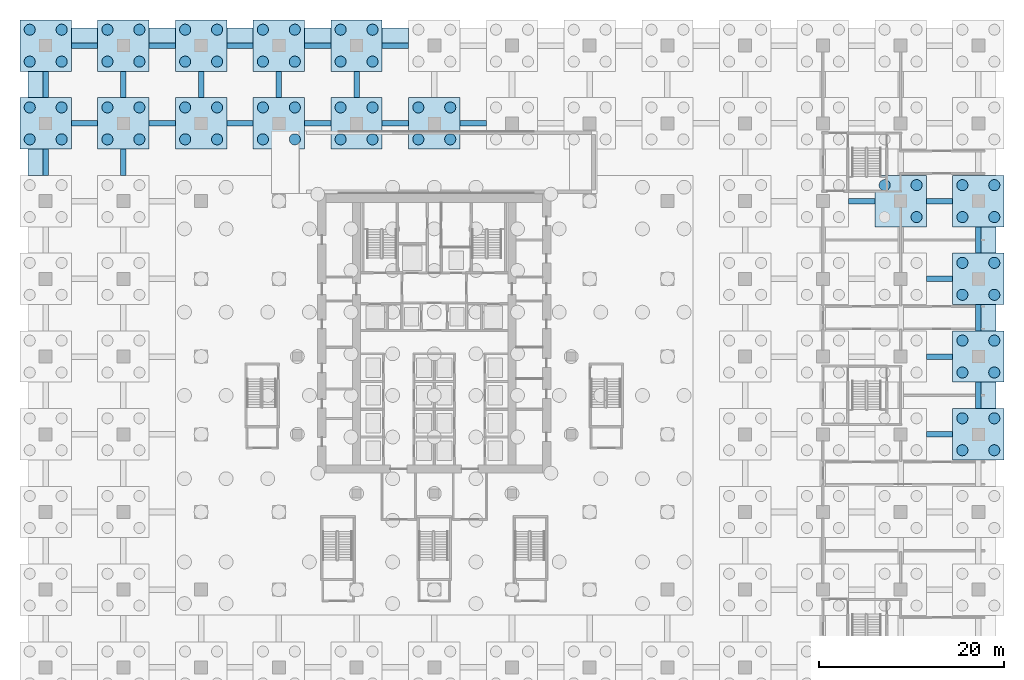
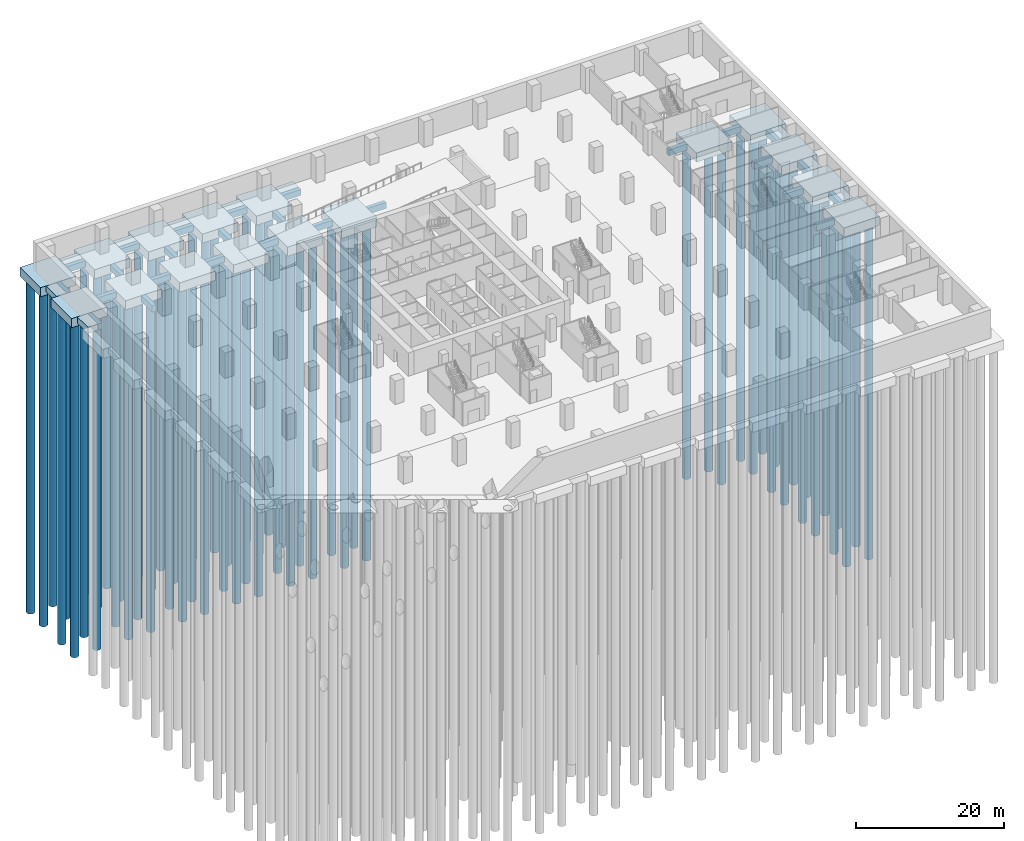
# One storey, part 5 of 22: 63 piles, 52 footings.
"""IFC4 building model written with IfcOpenShell, lengths in metres."""

from ifc_helpers import new_model, si_unit, direction, frame, origin, origin_2d, place, context, subcontext, project, spatial, polyline, circle, outline, extrude, material, layer, layer_set, type_object, element, save


model = new_model("IFC4")

# Units and contexts
model_context = context("Model", 3, precision=1e-05, world=origin(), true_north=direction((0.0, 1.0)))
body_context = subcontext(model_context, "Body", "Model", "MODEL_VIEW")
ifc_project = project(units=[si_unit("LENGTHUNIT", "METRE"), si_unit("AREAUNIT", "SQUARE_METRE"), si_unit("VOLUMEUNIT", "CUBIC_METRE"), si_unit("PLANEANGLEUNIT", "RADIAN"), si_unit("MASSUNIT", "GRAM", prefix="KILO")], contexts=[model_context])

# Site, building, storey
site_placement = place(None, origin())
site = spatial("IfcSite", under=ifc_project, at=site_placement, CompositionType="ELEMENT")
building_placement = place(site_placement, origin())
building = spatial("IfcBuilding", under=site, at=building_placement, Name="Vermilion Ogive Tower", CompositionType="ELEMENT")
storey_placement = place(building_placement, frame((0.0, 0.0, -8.39990234375)))
storey = spatial("IfcBuildingStorey", under=building, at=storey_placement, Name="B2", CompositionType="ELEMENT", Elevation=-8.39990234375)

# Piles
ifc_material_1 = material(Name="Concrete B45", Category="concrete")
pile_type = type_object("IfcPileType", Name="Bored pile PC1 D1200", PredefinedType="BORED", material=ifc_material_1)
for number, where, z_axis, x_axis, name in (
    (1, (-43.72509765625, 27.675048828125, -1.900146484375), (0.0, 0.0, -1.0), (1.0, 0.0, 0.0), "Cap pile 008-1"),
    (2, (-40.27490234375, 27.675048828125, -1.900146484375), (0.0, 0.0, -1.0), (1.0, 0.0, 0.0), "Cap pile 008-2"),
    (3, (-43.72509765625, 31.125, -1.900146484375), (0.0, 0.0, -1.0), (1.0, 0.0, 0.0), "Cap pile 008-3"),
    (4, (-40.27490234375, 31.125, -1.900146484375), (0.0, 0.0, -1.0), (1.0, 0.0, 0.0), "Cap pile 008-4"),
    (5, (-43.72509765625, 36.074951171875, -1.900146484375), (0.0, 0.0, -1.0), (1.0, 0.0, 0.0), "Cap pile 009-1"),
    (6, (-40.27490234375, 36.074951171875, -1.900146484375), (0.0, 0.0, -1.0), (1.0, 0.0, 0.0), "Cap pile 009-2"),
    (7, (-43.72509765625, 39.52490234375, -1.900146484375), (0.0, 0.0, -1.0), (1.0, 0.0, 0.0), "Cap pile 009-3"),
    (8, (-40.27490234375, 39.52490234375, -1.900146484375), (0.0, 0.0, -1.0), (1.0, 0.0, 0.0), "Cap pile 009-4"),
    (9, (-35.324951171875, 27.675048828125, -1.900146484375), (0.0, 0.0, -1.0), (1.0, 0.0, 0.0), "Cap pile 018-1"),
    (10, (-31.875, 27.675048828125, -1.900146484375), (0.0, 0.0, -1.0), (1.0, 0.0, 0.0), "Cap pile 018-2"),
    (11, (-35.324951171875, 31.125, -1.900146484375), (0.0, 0.0, -1.0), (1.0, 0.0, 0.0), "Cap pile 018-3"),
    (12, (-31.875, 31.125, -1.900146484375), (0.0, 0.0, -1.0), (1.0, 0.0, 0.0), "Cap pile 018-4"),
    (13, (-35.324951171875, 36.074951171875, -1.900146484375), (0.0, 0.0, -1.0), (1.0, 0.0, 0.0), "Cap pile 019-1"),
    (14, (-31.875, 36.074951171875, -1.900146484375), (0.0, 0.0, -1.0), (1.0, 0.0, 0.0), "Cap pile 019-2"),
    (15, (-35.324951171875, 39.52490234375, -1.900146484375), (0.0, 0.0, -1.0), (1.0, 0.0, 0.0), "Cap pile 019-3"),
    (16, (-31.875, 39.52490234375, -1.900146484375), (0.0, 0.0, -1.0), (1.0, 0.0, 0.0), "Cap pile 019-4"),
    (17, (-26.925048828125, 27.675048828125, -1.900146484375), (0.0, 0.0, -1.0), (1.0, 0.0, 0.0), "Cap pile 022-1"),
    (18, (-23.47509765625, 27.675048828125, -1.900146484375), (0.0, 0.0, -1.0), (1.0, 0.0, 0.0), "Cap pile 022-2"),
    (19, (-26.925048828125, 31.125, -1.900146484375), (0.0, 0.0, -1.0), (1.0, 0.0, 0.0), "Cap pile 022-3"),
    (20, (-23.47509765625, 31.125, -1.900146484375), (0.0, 0.0, -1.0), (1.0, 0.0, 0.0), "Cap pile 022-4"),
    (21, (-26.925048828125, 36.074951171875, -1.900146484375), (0.0, 0.0, -1.0), (1.0, 0.0, 0.0), "Cap pile 023-1"),
    (22, (-23.47509765625, 36.074951171875, -1.900146484375), (0.0, 0.0, -1.0), (1.0, 0.0, 0.0), "Cap pile 023-2"),
    (23, (-26.925048828125, 39.52490234375, -1.900146484375), (0.0, 0.0, -1.0), (1.0, 0.0, 0.0), "Cap pile 023-3"),
    (24, (-23.47509765625, 39.52490234375, -1.900146484375), (0.0, 0.0, -1.0), (1.0, 0.0, 0.0), "Cap pile 023-4"),
    (25, (-18.52490234375, 27.675048828125, -1.900146484375), (0.0, 0.0, -1.0), (1.0, 0.0, 0.0), "Cap pile 026-1"),
    (26, (-15.074951171875, 27.675048828125, -1.900146484375), (0.0, 0.0, -1.0), (1.0, 0.0, 0.0), "Cap pile 026-2"),
    (27, (-18.52490234375, 31.125, -1.900146484375), (0.0, 0.0, -1.0), (1.0, 0.0, 0.0), "Cap pile 026-3"),
    (28, (-15.074951171875, 31.125, -1.900146484375), (0.0, 0.0, -1.0), (1.0, 0.0, 0.0), "Cap pile 026-4"),
    (29, (-18.52490234375, 36.074951171875, -1.900146484375), (0.0, 0.0, -1.0), (1.0, 0.0, 0.0), "Cap pile 027-1"),
    (30, (-15.074951171875, 36.074951171875, -1.900146484375), (0.0, 0.0, -1.0), (1.0, 0.0, 0.0), "Cap pile 027-2"),
    (31, (-18.52490234375, 39.52490234375, -1.900146484375), (0.0, 0.0, -1.0), (1.0, 0.0, 0.0), "Cap pile 027-3"),
    (32, (-15.074951171875, 39.52490234375, -1.900146484375), (0.0, 0.0, -1.0), (1.0, 0.0, 0.0), "Cap pile 027-4"),
    (33, (-10.125, 27.675048828125, -1.900146484375), (0.0, 0.0, -1.0), (1.0, 0.0, 0.0), "Cap pile 030-1"),
    (34, (-6.675048828125, 27.675048828125, -1.900146484375), (0.0, 0.0, -1.0), (1.0, 0.0, 0.0), "Cap pile 030-2"),
    (35, (-10.125, 31.125, -1.900146484375), (0.0, 0.0, -1.0), (1.0, 0.0, 0.0), "Cap pile 030-3"),
    (36, (-6.675048828125, 31.125, -1.900146484375), (0.0, 0.0, -1.0), (1.0, 0.0, 0.0), "Cap pile 030-4"),
    (37, (-10.125, 36.074951171875, -1.900146484375), (0.0, 0.0, -1.0), (1.0, 0.0, 0.0), "Cap pile 031-1"),
    (38, (-6.675048828125, 36.074951171875, -1.900146484375), (0.0, 0.0, -1.0), (1.0, 0.0, 0.0), "Cap pile 031-2"),
    (39, (-10.125, 39.52490234375, -1.900146484375), (0.0, 0.0, -1.0), (1.0, 0.0, 0.0), "Cap pile 031-3"),
    (40, (-6.675048828125, 39.52490234375, -1.900146484375), (0.0, 0.0, -1.0), (1.0, 0.0, 0.0), "Cap pile 031-4"),
    (41, (-1.72509765625, 27.675048828125, -1.900146484375), (0.0, 0.0, -1.0), (1.0, 0.0, 0.0), "Cap pile 034-1"),
    (42, (1.72509765625, 27.675048828125, -1.900146484375), (0.0, 0.0, -1.0), (1.0, 0.0, 0.0), "Cap pile 034-2"),
    (43, (-1.72509765625, 31.125, -1.900146484375), (0.0, 0.0, -1.0), (1.0, 0.0, 0.0), "Cap pile 034-3"),
    (44, (1.72509765625, 31.125, -1.900146484375), (0.0, 0.0, -1.0), (1.0, 0.0, 0.0), "Cap pile 034-4"),
    (45, (52.125, 19.27490234375, -1.900146484375), (0.0, 0.0, -1.0), (1.0, 0.0, 0.0), "Cap pile 075-2"),
    (46, (48.675048828125, 22.72509765625, -1.900146484375), (0.0, 0.0, -1.0), (1.0, 0.0, 0.0), "Cap pile 075-3"),
    (47, (52.125, 22.72509765625, -1.900146484375), (0.0, 0.0, -1.0), (1.0, 0.0, 0.0), "Cap pile 075-4"),
    (48, (57.074951171875, -5.925048828125, -1.900146484375), (0.0, 0.0, -1.0), (1.0, 0.0, 0.0), "Cap pile 082-1"),
    (49, (60.52490234375, -5.925048828125, -1.900146484375), (0.0, 0.0, -1.0), (1.0, 0.0, 0.0), "Cap pile 082-2"),
    (50, (57.074951171875, -2.47509765625, -1.900146484375), (0.0, 0.0, -1.0), (1.0, 0.0, 0.0), "Cap pile 082-3"),
    (51, (60.52490234375, -2.47509765625, -1.900146484375), (0.0, 0.0, -1.0), (1.0, 0.0, 0.0), "Cap pile 082-4"),
    (52, (57.074951171875, 2.47509765625, -1.900146484375), (0.0, 0.0, -1.0), (1.0, 0.0, 0.0), "Cap pile 083-1"),
    (53, (60.52490234375, 2.47509765625, -1.900146484375), (0.0, 0.0, -1.0), (1.0, 0.0, 0.0), "Cap pile 083-2"),
    (54, (57.074951171875, 5.925048828125, -1.900146484375), (0.0, 0.0, -1.0), (1.0, 0.0, 0.0), "Cap pile 083-3"),
    (55, (60.52490234375, 5.925048828125, -1.900146484375), (0.0, 0.0, -1.0), (1.0, 0.0, 0.0), "Cap pile 083-4"),
    (56, (57.074951171875, 10.875, -1.900146484375), (0.0, 0.0, -1.0), (1.0, 0.0, 0.0), "Cap pile 084-1"),
    (57, (60.52490234375, 10.875, -1.900146484375), (0.0, 0.0, -1.0), (1.0, 0.0, 0.0), "Cap pile 084-2"),
    (58, (57.074951171875, 14.324951171875, -1.900146484375), (0.0, 0.0, -1.0), (1.0, 0.0, 0.0), "Cap pile 084-3"),
    (59, (60.52490234375, 14.324951171875, -1.900146484375), (0.0, 0.0, -1.0), (1.0, 0.0, 0.0), "Cap pile 084-4"),
    (60, (57.074951171875, 19.27490234375, -1.900146484375), (0.0, 0.0, -1.0), (1.0, 0.0, 0.0), "Cap pile 085-1"),
    (61, (60.52490234375, 19.27490234375, -1.900146484375), (0.0, 0.0, -1.0), (1.0, 0.0, 0.0), "Cap pile 085-2"),
    (62, (57.074951171875, 22.72509765625, -1.900146484375), (0.0, 0.0, -1.0), (1.0, 0.0, 0.0), "Cap pile 085-3"),
    (63, (60.52490234375, 22.72509765625, -1.900146484375), (0.0, 0.0, -1.0), (1.0, 0.0, 0.0), "Cap pile 085-4"),
):
    element("IfcPile", number, at=place(storey_placement, frame(where, z_axis=z_axis, x_axis=x_axis)), inside=storey, type_object=pile_type, Name=name, PredefinedType="BORED", context=body_context, shape_type="SweptSolid", body=[
        extrude(circle(Radius=0.60009765625, at=origin_2d()), origin(), (0.0, 0.0, 1.0), 55.0),
    ])

# Footings
ifc_material_2 = material(Name="Concrete B50", Category="concrete")
footing_type_1 = type_object("IfcFootingType", Name="Ground beam GB1", PredefinedType="FOOTING_BEAM", material=ifc_material_2)
footing_1_placement = place(storey_placement, frame((0.0, 0.0, -1.5)))
element("IfcFooting", 64, at=footing_1_placement, inside=storey, type_object=footing_type_1, Name="Ground beam 016", PredefinedType="FOOTING_BEAM", context=body_context, shape_type="SweptSolid", body=[
    extrude(outline(polyline([(-41.699951171875, 23.77490234375), (-41.699951171875, 26.625), (-42.300048828125, 26.625), (-42.300048828125, 23.77490234375), (-41.699951171875, 23.77490234375)])), origin(), (0.0, 0.0, 1.0), 1.0),
])
footing_2_placement = place(storey_placement, frame((0.0, 0.0, -1.5)))
element("IfcFooting", 65, at=footing_2_placement, inside=storey, type_object=footing_type_1, Name="Ground beam 017", PredefinedType="FOOTING_BEAM", context=body_context, shape_type="SweptSolid", body=[
    extrude(outline(polyline([(-36.375, 29.10009765625), (-36.375, 29.699951171875), (-39.22509765625, 29.699951171875), (-39.22509765625, 29.10009765625), (-36.375, 29.10009765625)])), origin(), (0.0, 0.0, 1.0), 1.0),
])
footing_3_placement = place(storey_placement, frame((0.0, 0.0, -1.5)))
element("IfcFooting", 66, at=footing_3_placement, inside=storey, type_object=footing_type_1, Name="Ground beam 018", PredefinedType="FOOTING_BEAM", context=body_context, shape_type="SweptSolid", body=[
    extrude(outline(polyline([(-41.699951171875, 32.175048828125), (-41.699951171875, 35.02490234375), (-42.300048828125, 35.02490234375), (-42.300048828125, 32.175048828125), (-41.699951171875, 32.175048828125)])), origin(), (0.0, 0.0, 1.0), 1.0),
])
footing_4_placement = place(storey_placement, frame((0.0, 0.0, -1.5)))
element("IfcFooting", 67, at=footing_4_placement, inside=storey, type_object=footing_type_1, Name="Ground beam 019", PredefinedType="FOOTING_BEAM", context=body_context, shape_type="SweptSolid", body=[
    extrude(outline(polyline([(-36.375, 37.5), (-36.375, 38.10009765625), (-39.22509765625, 38.10009765625), (-39.22509765625, 37.5), (-36.375, 37.5)])), origin(), (0.0, 0.0, 1.0), 1.0),
])
footing_5_placement = place(storey_placement, frame((0.0, 0.0, -1.5)))
element("IfcFooting", 68, at=footing_5_placement, inside=storey, type_object=footing_type_1, Name="Ground beam 035", PredefinedType="FOOTING_BEAM", context=body_context, shape_type="SweptSolid", body=[
    extrude(outline(polyline([(-33.300048828125, 23.77490234375), (-33.300048828125, 26.625), (-33.89990234375, 26.625), (-33.89990234375, 23.77490234375), (-33.300048828125, 23.77490234375)])), origin(), (0.0, 0.0, 1.0), 1.0),
])
footing_6_placement = place(storey_placement, frame((0.0, 0.0, -1.5)))
element("IfcFooting", 69, at=footing_6_placement, inside=storey, type_object=footing_type_1, Name="Ground beam 036", PredefinedType="FOOTING_BEAM", context=body_context, shape_type="SweptSolid", body=[
    extrude(outline(polyline([(-27.97509765625, 29.10009765625), (-27.97509765625, 29.699951171875), (-30.824951171875, 29.699951171875), (-30.824951171875, 29.10009765625), (-27.97509765625, 29.10009765625)])), origin(), (0.0, 0.0, 1.0), 1.0),
])
footing_7_placement = place(storey_placement, frame((0.0, 0.0, -1.5)))
element("IfcFooting", 70, at=footing_7_placement, inside=storey, type_object=footing_type_1, Name="Ground beam 037", PredefinedType="FOOTING_BEAM", context=body_context, shape_type="SweptSolid", body=[
    extrude(outline(polyline([(-33.300048828125, 32.175048828125), (-33.300048828125, 35.02490234375), (-33.89990234375, 35.02490234375), (-33.89990234375, 32.175048828125), (-33.300048828125, 32.175048828125)])), origin(), (0.0, 0.0, 1.0), 1.0),
])
footing_8_placement = place(storey_placement, frame((0.0, 0.0, -1.5)))
element("IfcFooting", 71, at=footing_8_placement, inside=storey, type_object=footing_type_1, Name="Ground beam 038", PredefinedType="FOOTING_BEAM", context=body_context, shape_type="SweptSolid", body=[
    extrude(outline(polyline([(-27.97509765625, 37.5), (-27.97509765625, 38.10009765625), (-30.824951171875, 38.10009765625), (-30.824951171875, 37.5), (-27.97509765625, 37.5)])), origin(), (0.0, 0.0, 1.0), 1.0),
])
footing_9_placement = place(storey_placement, frame((0.0, 0.0, -1.5)))
element("IfcFooting", 72, at=footing_9_placement, inside=storey, type_object=footing_type_1, Name="Ground beam 043", PredefinedType="FOOTING_BEAM", context=body_context, shape_type="SweptSolid", body=[
    extrude(outline(polyline([(-19.574951171875, 29.10009765625), (-19.574951171875, 29.699951171875), (-22.425048828125, 29.699951171875), (-22.425048828125, 29.10009765625), (-19.574951171875, 29.10009765625)])), origin(), (0.0, 0.0, 1.0), 1.0),
])
footing_10_placement = place(storey_placement, frame((0.0, 0.0, -1.5)))
element("IfcFooting", 73, at=footing_10_placement, inside=storey, type_object=footing_type_1, Name="Ground beam 044", PredefinedType="FOOTING_BEAM", context=body_context, shape_type="SweptSolid", body=[
    extrude(outline(polyline([(-24.89990234375, 32.175048828125), (-24.89990234375, 35.02490234375), (-25.5, 35.02490234375), (-25.5, 32.175048828125), (-24.89990234375, 32.175048828125)])), origin(), (0.0, 0.0, 1.0), 1.0),
])
footing_11_placement = place(storey_placement, frame((0.0, 0.0, -1.5)))
element("IfcFooting", 74, at=footing_11_placement, inside=storey, type_object=footing_type_1, Name="Ground beam 045", PredefinedType="FOOTING_BEAM", context=body_context, shape_type="SweptSolid", body=[
    extrude(outline(polyline([(-19.574951171875, 37.5), (-19.574951171875, 38.10009765625), (-22.425048828125, 38.10009765625), (-22.425048828125, 37.5), (-19.574951171875, 37.5)])), origin(), (0.0, 0.0, 1.0), 1.0),
])
footing_12_placement = place(storey_placement, frame((0.0, 0.0, -1.5)))
element("IfcFooting", 75, at=footing_12_placement, inside=storey, type_object=footing_type_1, Name="Ground beam 050", PredefinedType="FOOTING_BEAM", context=body_context, shape_type="SweptSolid", body=[
    extrude(outline(polyline([(-11.175048828125, 29.10009765625), (-11.175048828125, 29.699951171875), (-14.02490234375, 29.699951171875), (-14.02490234375, 29.10009765625), (-11.175048828125, 29.10009765625)])), origin(), (0.0, 0.0, 1.0), 1.0),
])
footing_13_placement = place(storey_placement, frame((0.0, 0.0, -1.5)))
element("IfcFooting", 76, at=footing_13_placement, inside=storey, type_object=footing_type_1, Name="Ground beam 051", PredefinedType="FOOTING_BEAM", context=body_context, shape_type="SweptSolid", body=[
    extrude(outline(polyline([(-16.5, 32.175048828125), (-16.5, 35.02490234375), (-17.10009765625, 35.02490234375), (-17.10009765625, 32.175048828125), (-16.5, 32.175048828125)])), origin(), (0.0, 0.0, 1.0), 1.0),
])
footing_14_placement = place(storey_placement, frame((0.0, 0.0, -1.5)))
element("IfcFooting", 77, at=footing_14_placement, inside=storey, type_object=footing_type_1, Name="Ground beam 052", PredefinedType="FOOTING_BEAM", context=body_context, shape_type="SweptSolid", body=[
    extrude(outline(polyline([(-11.175048828125, 37.5), (-11.175048828125, 38.10009765625), (-14.02490234375, 38.10009765625), (-14.02490234375, 37.5), (-11.175048828125, 37.5)])), origin(), (0.0, 0.0, 1.0), 1.0),
])
footing_15_placement = place(storey_placement, frame((0.0, 0.0, -1.5)))
element("IfcFooting", 78, at=footing_15_placement, inside=storey, type_object=footing_type_1, Name="Ground beam 057", PredefinedType="FOOTING_BEAM", context=body_context, shape_type="SweptSolid", body=[
    extrude(outline(polyline([(-2.77490234375, 29.10009765625), (-2.77490234375, 29.699951171875), (-5.625, 29.699951171875), (-5.625, 29.10009765625), (-2.77490234375, 29.10009765625)])), origin(), (0.0, 0.0, 1.0), 1.0),
])
footing_16_placement = place(storey_placement, frame((0.0, 0.0, -1.5)))
element("IfcFooting", 79, at=footing_16_placement, inside=storey, type_object=footing_type_1, Name="Ground beam 058", PredefinedType="FOOTING_BEAM", context=body_context, shape_type="SweptSolid", body=[
    extrude(outline(polyline([(-8.10009765625, 32.175048828125), (-8.10009765625, 35.02490234375), (-8.699951171875, 35.02490234375), (-8.699951171875, 32.175048828125), (-8.10009765625, 32.175048828125)])), origin(), (0.0, 0.0, 1.0), 1.0),
])
footing_17_placement = place(storey_placement, frame((0.0, 0.0, -1.5)))
element("IfcFooting", 80, at=footing_17_placement, inside=storey, type_object=footing_type_1, Name="Ground beam 059", PredefinedType="FOOTING_BEAM", context=body_context, shape_type="SweptSolid", body=[
    extrude(outline(polyline([(-2.77490234375, 37.5), (-2.77490234375, 38.10009765625), (-5.625, 38.10009765625), (-5.625, 37.5), (-2.77490234375, 37.5)])), origin(), (0.0, 0.0, 1.0), 1.0),
])
footing_18_placement = place(storey_placement, frame((0.0, 0.0, -1.5)))
element("IfcFooting", 81, at=footing_18_placement, inside=storey, type_object=footing_type_1, Name="Ground beam 064", PredefinedType="FOOTING_BEAM", context=body_context, shape_type="SweptSolid", body=[
    extrude(outline(polyline([(5.625, 29.10009765625), (5.625, 29.699951171875), (2.77490234375, 29.699951171875), (2.77490234375, 29.10009765625), (5.625, 29.10009765625)])), origin(), (0.0, 0.0, 1.0), 1.0),
])
footing_19_placement = place(storey_placement, frame((0.0, 0.0, -1.5)))
element("IfcFooting", 82, at=footing_19_placement, inside=storey, type_object=footing_type_1, Name="Ground beam 121", PredefinedType="FOOTING_BEAM", context=body_context, shape_type="SweptSolid", body=[
    extrude(outline(polyline([(47.625, 20.699951171875), (47.625, 21.300048828125), (44.77490234375, 21.300048828125), (44.77490234375, 20.699951171875), (47.625, 20.699951171875)])), origin(), (0.0, 0.0, 1.0), 1.0),
])
footing_20_placement = place(storey_placement, frame((0.0, 0.0, -1.5)))
element("IfcFooting", 83, at=footing_20_placement, inside=storey, type_object=footing_type_1, Name="Ground beam 134", PredefinedType="FOOTING_BEAM", context=body_context, shape_type="SweptSolid", body=[
    extrude(outline(polyline([(56.02490234375, -4.5), (56.02490234375, -3.89990234375), (53.175048828125, -3.89990234375), (53.175048828125, -4.5), (56.02490234375, -4.5)])), origin(), (0.0, 0.0, 1.0), 1.0),
])
footing_21_placement = place(storey_placement, frame((0.0, 0.0, -1.5)))
element("IfcFooting", 84, at=footing_21_placement, inside=storey, type_object=footing_type_1, Name="Ground beam 136", PredefinedType="FOOTING_BEAM", context=body_context, shape_type="SweptSolid", body=[
    extrude(outline(polyline([(56.02490234375, 3.89990234375), (56.02490234375, 4.5), (53.175048828125, 4.5), (53.175048828125, 3.89990234375), (56.02490234375, 3.89990234375)])), origin(), (0.0, 0.0, 1.0), 1.0),
])
footing_22_placement = place(storey_placement, frame((0.0, 0.0, -1.5)))
element("IfcFooting", 85, at=footing_22_placement, inside=storey, type_object=footing_type_1, Name="Ground beam 138", PredefinedType="FOOTING_BEAM", context=body_context, shape_type="SweptSolid", body=[
    extrude(outline(polyline([(56.02490234375, 12.300048828125), (56.02490234375, 12.89990234375), (53.175048828125, 12.89990234375), (53.175048828125, 12.300048828125), (56.02490234375, 12.300048828125)])), origin(), (0.0, 0.0, 1.0), 1.0),
])
footing_23_placement = place(storey_placement, frame((0.0, 0.0, -1.5)))
element("IfcFooting", 86, at=footing_23_placement, inside=storey, type_object=footing_type_1, Name="Ground beam 140", PredefinedType="FOOTING_BEAM", context=body_context, shape_type="SweptSolid", body=[
    extrude(outline(polyline([(56.02490234375, 20.699951171875), (56.02490234375, 21.300048828125), (53.175048828125, 21.300048828125), (53.175048828125, 20.699951171875), (56.02490234375, 20.699951171875)])), origin(), (0.0, 0.0, 1.0), 1.0),
])
footing_24_placement = place(storey_placement, frame((0.0, 0.0, -1.5)))
element("IfcFooting", 87, at=footing_24_placement, inside=storey, type_object=footing_type_1, Name="Ground beam 149", PredefinedType="FOOTING_BEAM", context=body_context, shape_type="SweptSolid", body=[
    extrude(outline(polyline([(59.10009765625, -1.425048828125), (59.10009765625, 1.425048828125), (58.5, 1.425048828125), (58.5, -1.425048828125), (59.10009765625, -1.425048828125)])), origin(), (0.0, 0.0, 1.0), 1.0),
])
footing_25_placement = place(storey_placement, frame((0.0, 0.0, -1.5)))
element("IfcFooting", 88, at=footing_25_placement, inside=storey, type_object=footing_type_1, Name="Ground beam 150", PredefinedType="FOOTING_BEAM", context=body_context, shape_type="SweptSolid", body=[
    extrude(outline(polyline([(59.10009765625, 6.97509765625), (59.10009765625, 9.824951171875), (58.5, 9.824951171875), (58.5, 6.97509765625), (59.10009765625, 6.97509765625)])), origin(), (0.0, 0.0, 1.0), 1.0),
])
footing_26_placement = place(storey_placement, frame((0.0, 0.0, -1.5)))
element("IfcFooting", 89, at=footing_26_placement, inside=storey, type_object=footing_type_1, Name="Ground beam 151", PredefinedType="FOOTING_BEAM", context=body_context, shape_type="SweptSolid", body=[
    extrude(outline(polyline([(59.10009765625, 15.375), (59.10009765625, 18.22509765625), (58.5, 18.22509765625), (58.5, 15.375), (59.10009765625, 15.375)])), origin(), (0.0, 0.0, 1.0), 1.0),
])
ifc_material_3 = material(Name="Concrete B50", Category="concrete")
ifc_layer_1 = layer(ifc_material_3, 1.5)
ifc_layer_set_1 = layer_set([ifc_layer_1], Name="Pile cap PC1")
footing_type_2 = type_object("IfcFootingType", Name="Pile cap PC1", PredefinedType="PILE_CAP", material=ifc_layer_set_1)
footing_27_placement = place(storey_placement, frame((0.0, 0.0, -2.0)))
element("IfcFooting", 90, at=footing_27_placement, inside=storey, type_object=footing_type_2, Name="Pile cap 008", PredefinedType="PILE_CAP", context=body_context, shape_type="SweptSolid", body=[
    extrude(outline(polyline([(-44.77490234375, 26.625), (-39.22509765625, 26.625), (-39.22509765625, 32.175048828125), (-44.77490234375, 32.175048828125), (-44.77490234375, 26.625)])), origin(), (0.0, 0.0, 1.0), 1.5),
])
footing_28_placement = place(storey_placement, frame((0.0, 0.0, -2.0)))
element("IfcFooting", 91, at=footing_28_placement, inside=storey, type_object=footing_type_2, Name="Pile cap 009", PredefinedType="PILE_CAP", context=body_context, shape_type="SweptSolid", body=[
    extrude(outline(polyline([(-44.77490234375, 35.02490234375), (-39.22509765625, 35.02490234375), (-39.22509765625, 40.574951171875), (-44.77490234375, 40.574951171875), (-44.77490234375, 35.02490234375)])), origin(), (0.0, 0.0, 1.0), 1.5),
])
footing_29_placement = place(storey_placement, frame((0.0, 0.0, -2.0)))
element("IfcFooting", 92, at=footing_29_placement, inside=storey, type_object=footing_type_2, Name="Pile cap 018", PredefinedType="PILE_CAP", context=body_context, shape_type="SweptSolid", body=[
    extrude(outline(polyline([(-36.375, 26.625), (-30.824951171875, 26.625), (-30.824951171875, 32.175048828125), (-36.375, 32.175048828125), (-36.375, 26.625)])), origin(), (0.0, 0.0, 1.0), 1.5),
])
footing_30_placement = place(storey_placement, frame((0.0, 0.0, -2.0)))
element("IfcFooting", 93, at=footing_30_placement, inside=storey, type_object=footing_type_2, Name="Pile cap 019", PredefinedType="PILE_CAP", context=body_context, shape_type="SweptSolid", body=[
    extrude(outline(polyline([(-36.375, 35.02490234375), (-30.824951171875, 35.02490234375), (-30.824951171875, 40.574951171875), (-36.375, 40.574951171875), (-36.375, 35.02490234375)])), origin(), (0.0, 0.0, 1.0), 1.5),
])
footing_31_placement = place(storey_placement, frame((0.0, 0.0, -2.0)))
element("IfcFooting", 94, at=footing_31_placement, inside=storey, type_object=footing_type_2, Name="Pile cap 022", PredefinedType="PILE_CAP", context=body_context, shape_type="SweptSolid", body=[
    extrude(outline(polyline([(-27.97509765625, 26.625), (-22.425048828125, 26.625), (-22.425048828125, 32.175048828125), (-27.97509765625, 32.175048828125), (-27.97509765625, 26.625)])), origin(), (0.0, 0.0, 1.0), 1.5),
])
footing_32_placement = place(storey_placement, frame((0.0, 0.0, -2.0)))
element("IfcFooting", 95, at=footing_32_placement, inside=storey, type_object=footing_type_2, Name="Pile cap 023", PredefinedType="PILE_CAP", context=body_context, shape_type="SweptSolid", body=[
    extrude(outline(polyline([(-27.97509765625, 35.02490234375), (-22.425048828125, 35.02490234375), (-22.425048828125, 40.574951171875), (-27.97509765625, 40.574951171875), (-27.97509765625, 35.02490234375)])), origin(), (0.0, 0.0, 1.0), 1.5),
])
footing_33_placement = place(storey_placement, frame((0.0, 0.0, -2.0)))
element("IfcFooting", 96, at=footing_33_placement, inside=storey, type_object=footing_type_2, Name="Pile cap 026", PredefinedType="PILE_CAP", context=body_context, shape_type="SweptSolid", body=[
    extrude(outline(polyline([(-19.574951171875, 26.625), (-14.02490234375, 26.625), (-14.02490234375, 32.175048828125), (-19.574951171875, 32.175048828125), (-19.574951171875, 26.625)])), origin(), (0.0, 0.0, 1.0), 1.5),
])
footing_34_placement = place(storey_placement, frame((0.0, 0.0, -2.0)))
element("IfcFooting", 97, at=footing_34_placement, inside=storey, type_object=footing_type_2, Name="Pile cap 027", PredefinedType="PILE_CAP", context=body_context, shape_type="SweptSolid", body=[
    extrude(outline(polyline([(-19.574951171875, 35.02490234375), (-14.02490234375, 35.02490234375), (-14.02490234375, 40.574951171875), (-19.574951171875, 40.574951171875), (-19.574951171875, 35.02490234375)])), origin(), (0.0, 0.0, 1.0), 1.5),
])
footing_35_placement = place(storey_placement, frame((0.0, 0.0, -2.0)))
element("IfcFooting", 98, at=footing_35_placement, inside=storey, type_object=footing_type_2, Name="Pile cap 030", PredefinedType="PILE_CAP", context=body_context, shape_type="SweptSolid", body=[
    extrude(outline(polyline([(-11.175048828125, 26.625), (-5.625, 26.625), (-5.625, 32.175048828125), (-11.175048828125, 32.175048828125), (-11.175048828125, 26.625)])), origin(), (0.0, 0.0, 1.0), 1.5),
])
footing_36_placement = place(storey_placement, frame((0.0, 0.0, -2.0)))
element("IfcFooting", 99, at=footing_36_placement, inside=storey, type_object=footing_type_2, Name="Pile cap 031", PredefinedType="PILE_CAP", context=body_context, shape_type="SweptSolid", body=[
    extrude(outline(polyline([(-11.175048828125, 35.02490234375), (-5.625, 35.02490234375), (-5.625, 40.574951171875), (-11.175048828125, 40.574951171875), (-11.175048828125, 35.02490234375)])), origin(), (0.0, 0.0, 1.0), 1.5),
])
footing_37_placement = place(storey_placement, frame((0.0, 0.0, -2.0)))
element("IfcFooting", 100, at=footing_37_placement, inside=storey, type_object=footing_type_2, Name="Pile cap 034", PredefinedType="PILE_CAP", context=body_context, shape_type="SweptSolid", body=[
    extrude(outline(polyline([(-2.77490234375, 26.625), (2.77490234375, 26.625), (2.77490234375, 32.175048828125), (-2.77490234375, 32.175048828125), (-2.77490234375, 26.625)])), origin(), (0.0, 0.0, 1.0), 1.5),
])
footing_38_placement = place(storey_placement, frame((0.0, 0.0, -2.0)))
element("IfcFooting", 101, at=footing_38_placement, inside=storey, type_object=footing_type_2, Name="Pile cap 075", PredefinedType="PILE_CAP", context=body_context, shape_type="SweptSolid", body=[
    extrude(outline(polyline([(47.625, 18.22509765625), (53.175048828125, 18.22509765625), (53.175048828125, 23.77490234375), (47.625, 23.77490234375), (47.625, 18.22509765625)])), origin(), (0.0, 0.0, 1.0), 1.5),
])
footing_39_placement = place(storey_placement, frame((0.0, 0.0, -2.0)))
element("IfcFooting", 102, at=footing_39_placement, inside=storey, type_object=footing_type_2, Name="Pile cap 082", PredefinedType="PILE_CAP", context=body_context, shape_type="SweptSolid", body=[
    extrude(outline(polyline([(56.02490234375, -6.97509765625), (61.574951171875, -6.97509765625), (61.574951171875, -1.425048828125), (56.02490234375, -1.425048828125), (56.02490234375, -6.97509765625)])), origin(), (0.0, 0.0, 1.0), 1.5),
])
footing_40_placement = place(storey_placement, frame((0.0, 0.0, -2.0)))
element("IfcFooting", 103, at=footing_40_placement, inside=storey, type_object=footing_type_2, Name="Pile cap 083", PredefinedType="PILE_CAP", context=body_context, shape_type="SweptSolid", body=[
    extrude(outline(polyline([(56.02490234375, 1.425048828125), (61.574951171875, 1.425048828125), (61.574951171875, 6.97509765625), (56.02490234375, 6.97509765625), (56.02490234375, 1.425048828125)])), origin(), (0.0, 0.0, 1.0), 1.5),
])
footing_41_placement = place(storey_placement, frame((0.0, 0.0, -2.0)))
element("IfcFooting", 104, at=footing_41_placement, inside=storey, type_object=footing_type_2, Name="Pile cap 084", PredefinedType="PILE_CAP", context=body_context, shape_type="SweptSolid", body=[
    extrude(outline(polyline([(56.02490234375, 9.824951171875), (61.574951171875, 9.824951171875), (61.574951171875, 15.375), (56.02490234375, 15.375), (56.02490234375, 9.824951171875)])), origin(), (0.0, 0.0, 1.0), 1.5),
])
footing_42_placement = place(storey_placement, frame((0.0, 0.0, -2.0)))
element("IfcFooting", 105, at=footing_42_placement, inside=storey, type_object=footing_type_2, Name="Pile cap 085", PredefinedType="PILE_CAP", context=body_context, shape_type="SweptSolid", body=[
    extrude(outline(polyline([(56.02490234375, 18.22509765625), (61.574951171875, 18.22509765625), (61.574951171875, 23.77490234375), (56.02490234375, 23.77490234375), (56.02490234375, 18.22509765625)])), origin(), (0.0, 0.0, 1.0), 1.5),
])
ifc_material_4 = material(Name="Concrete B50", Category="concrete")
ifc_layer_2 = layer(ifc_material_4, 1.0)
ifc_layer_set_2 = layer_set([ifc_layer_2], Name="Wall footing WF1")
footing_type_3 = type_object("IfcFootingType", Name="Wall footing WF1", PredefinedType="STRIP_FOOTING", material=ifc_layer_set_2)
footing_43_placement = place(storey_placement, frame((0.0, 0.0, -1.5)))
element("IfcFooting", 106, at=footing_43_placement, inside=storey, type_object=footing_type_3, Name="Wall footing 008", PredefinedType="STRIP_FOOTING", context=body_context, shape_type="SweptSolid", body=[
    extrude(outline(polyline([(-42.300048828125, 26.625), (-43.89990234375, 26.625), (-43.89990234375, 23.77490234375), (-42.300048828125, 23.77490234375), (-42.300048828125, 26.625)])), origin(), (0.0, 0.0, 1.0), 1.0),
])
footing_44_placement = place(storey_placement, frame((0.0, 0.0, -1.5)))
element("IfcFooting", 107, at=footing_44_placement, inside=storey, type_object=footing_type_3, Name="Wall footing 009", PredefinedType="STRIP_FOOTING", context=body_context, shape_type="SweptSolid", body=[
    extrude(outline(polyline([(-42.300048828125, 35.02490234375), (-43.89990234375, 35.02490234375), (-43.89990234375, 32.175048828125), (-42.300048828125, 32.175048828125), (-42.300048828125, 35.02490234375)])), origin(), (0.0, 0.0, 1.0), 1.0),
])
footing_45_placement = place(storey_placement, frame((0.0, 0.0, -1.5)))
element("IfcFooting", 108, at=footing_45_placement, inside=storey, type_object=footing_type_3, Name="Wall footing 010", PredefinedType="STRIP_FOOTING", context=body_context, shape_type="SweptSolid", body=[
    extrude(outline(polyline([(-36.375, 38.10009765625), (-36.375, 39.699951171875), (-39.22509765625, 39.699951171875), (-39.22509765625, 38.10009765625), (-36.375, 38.10009765625)])), origin(), (0.0, 0.0, 1.0), 1.0),
])
footing_46_placement = place(storey_placement, frame((0.0, 0.0, -1.5)))
element("IfcFooting", 109, at=footing_46_placement, inside=storey, type_object=footing_type_3, Name="Wall footing 011", PredefinedType="STRIP_FOOTING", context=body_context, shape_type="SweptSolid", body=[
    extrude(outline(polyline([(-27.97509765625, 38.10009765625), (-27.97509765625, 39.699951171875), (-30.824951171875, 39.699951171875), (-30.824951171875, 38.10009765625), (-27.97509765625, 38.10009765625)])), origin(), (0.0, 0.0, 1.0), 1.0),
])
footing_47_placement = place(storey_placement, frame((0.0, 0.0, -1.5)))
element("IfcFooting", 110, at=footing_47_placement, inside=storey, type_object=footing_type_3, Name="Wall footing 012", PredefinedType="STRIP_FOOTING", context=body_context, shape_type="SweptSolid", body=[
    extrude(outline(polyline([(-19.574951171875, 38.10009765625), (-19.574951171875, 39.699951171875), (-22.425048828125, 39.699951171875), (-22.425048828125, 38.10009765625), (-19.574951171875, 38.10009765625)])), origin(), (0.0, 0.0, 1.0), 1.0),
])
footing_48_placement = place(storey_placement, frame((0.0, 0.0, -1.5)))
element("IfcFooting", 111, at=footing_48_placement, inside=storey, type_object=footing_type_3, Name="Wall footing 013", PredefinedType="STRIP_FOOTING", context=body_context, shape_type="SweptSolid", body=[
    extrude(outline(polyline([(-11.175048828125, 38.10009765625), (-11.175048828125, 39.699951171875), (-14.02490234375, 39.699951171875), (-14.02490234375, 38.10009765625), (-11.175048828125, 38.10009765625)])), origin(), (0.0, 0.0, 1.0), 1.0),
])
footing_49_placement = place(storey_placement, frame((0.0, 0.0, -1.5)))
element("IfcFooting", 112, at=footing_49_placement, inside=storey, type_object=footing_type_3, Name="Wall footing 014", PredefinedType="STRIP_FOOTING", context=body_context, shape_type="SweptSolid", body=[
    extrude(outline(polyline([(-2.77490234375, 38.10009765625), (-2.77490234375, 39.699951171875), (-5.625, 39.699951171875), (-5.625, 38.10009765625), (-2.77490234375, 38.10009765625)])), origin(), (0.0, 0.0, 1.0), 1.0),
])
footing_50_placement = place(storey_placement, frame((0.0, 0.0, -1.5)))
element("IfcFooting", 113, at=footing_50_placement, inside=storey, type_object=footing_type_3, Name="Wall footing 024", PredefinedType="STRIP_FOOTING", context=body_context, shape_type="SweptSolid", body=[
    extrude(outline(polyline([(59.10009765625, 15.375), (60.699951171875, 15.375), (60.699951171875, 18.22509765625), (59.10009765625, 18.22509765625), (59.10009765625, 15.375)])), origin(), (0.0, 0.0, 1.0), 1.0),
])
footing_51_placement = place(storey_placement, frame((0.0, 0.0, -1.5)))
element("IfcFooting", 114, at=footing_51_placement, inside=storey, type_object=footing_type_3, Name="Wall footing 025", PredefinedType="STRIP_FOOTING", context=body_context, shape_type="SweptSolid", body=[
    extrude(outline(polyline([(59.10009765625, 6.97509765625), (60.699951171875, 6.97509765625), (60.699951171875, 9.824951171875), (59.10009765625, 9.824951171875), (59.10009765625, 6.97509765625)])), origin(), (0.0, 0.0, 1.0), 1.0),
])
footing_52_placement = place(storey_placement, frame((0.0, 0.0, -1.5)))
element("IfcFooting", 115, at=footing_52_placement, inside=storey, type_object=footing_type_3, Name="Wall footing 026", PredefinedType="STRIP_FOOTING", context=body_context, shape_type="SweptSolid", body=[
    extrude(outline(polyline([(59.10009765625, -1.425048828125), (60.699951171875, -1.425048828125), (60.699951171875, 1.425048828125), (59.10009765625, 1.425048828125), (59.10009765625, -1.425048828125)])), origin(), (0.0, 0.0, 1.0), 1.0),
])

save(model, "model.ifc")
